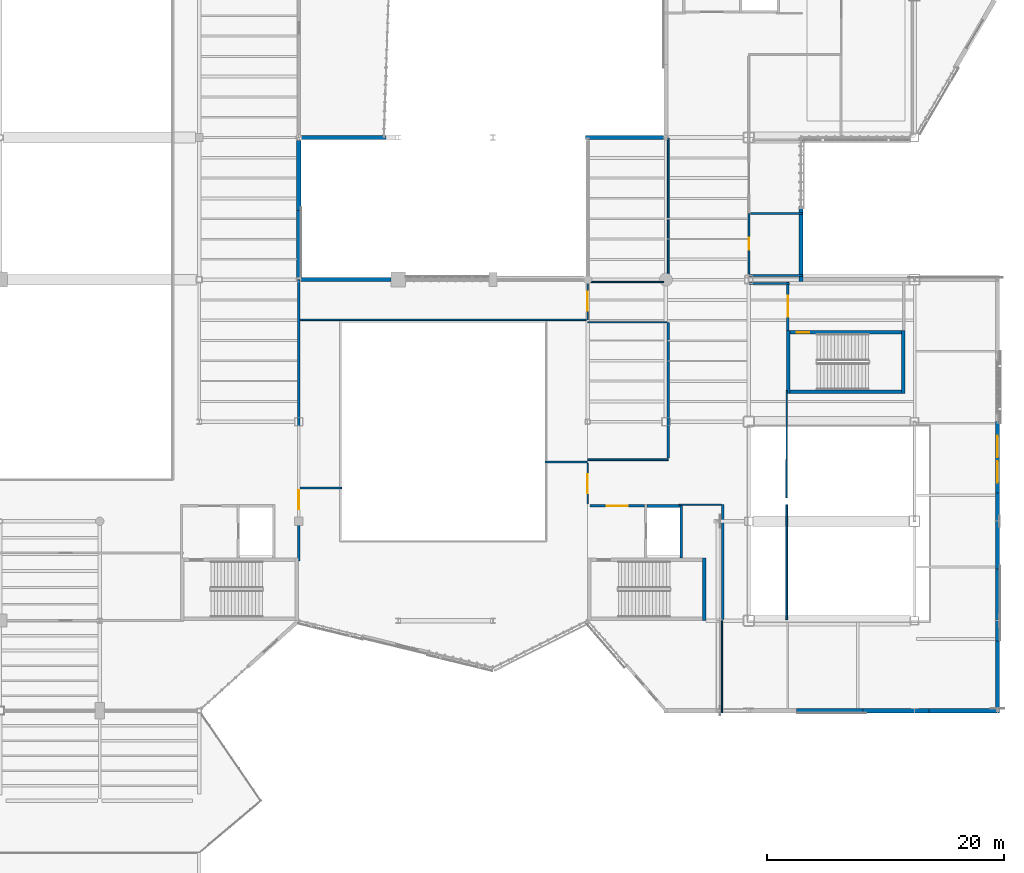
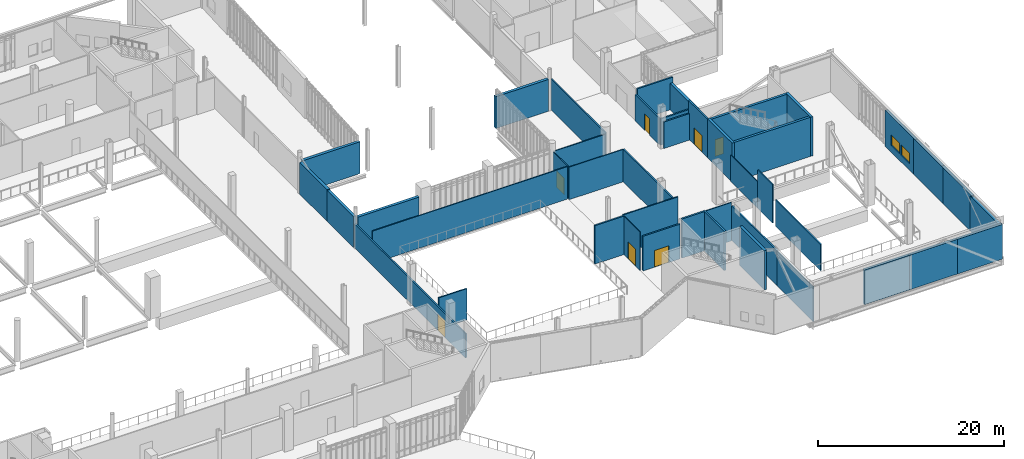
# One storey, part 107 of 127: 43 walls, 7 doors, 2 windows, 9 openings.
"""IFC4 building model written with IfcOpenShell, lengths in metres."""

from ifc_helpers import new_model, si_unit, direction, frame, frame_2d, origin, place, context, subcontext, project, spatial, rectangle, extrude, material, layer, layer_set, type_object, element, fill, save


model = new_model("IFC4")

# Units and contexts
model_context = context("Model", 3, precision=1e-05, world=origin(), true_north=direction((0.0, 1.0)))
body_context = subcontext(model_context, "Body", "Model", "MODEL_VIEW")
ifc_project = project(units=[si_unit("LENGTHUNIT", "METRE"), si_unit("AREAUNIT", "SQUARE_METRE"), si_unit("VOLUMEUNIT", "CUBIC_METRE"), si_unit("PLANEANGLEUNIT", "RADIAN"), si_unit("MASSUNIT", "GRAM", prefix="KILO")], contexts=[model_context])

# Site, building, storey
site_placement = place(None, origin())
site = spatial("IfcSite", under=ifc_project, at=site_placement, CompositionType="ELEMENT")
building_placement = place(site_placement, origin())
building = spatial("IfcBuilding", under=site, at=building_placement, Name="Larkvane Passage Sports Hall", CompositionType="ELEMENT")
storey_placement = place(building_placement, frame((0.0, 0.0, 5.39990234375)))
storey = spatial("IfcBuildingStorey", under=building, at=storey_placement, Name="L01", CompositionType="ELEMENT", Elevation=5.39990234375)

# Walls
ifc_material_1 = material(Name="Concrete C50/60", Category="concrete")
ifc_layer_1 = layer(ifc_material_1, 0.300048828125)
ifc_layer_set_1 = layer_set([ifc_layer_1], Name="Concrete C50/60")
wall_type_1 = type_object("IfcWallType", Name="WL-CORE-300", PredefinedType="SHEAR", material=ifc_layer_set_1)
for number, where, z_axis, x_axis, name in (
    (1, (134.949951171875, 42.0, 0.0), (0.0, 0.0, 1.0), (0.0, 1.0, 0.0), "Core shear wall WAL-CORE-C7-L01-W"),
    (2, (144.64990234375, 47.300048828125, 0.0), (0.0, 0.0, 1.0), (0.0, -1.0, 0.0), "Core shear wall WAL-CORE-C7-L01-E"),
):
    element("IfcWall", number, at=place(storey_placement, frame(where, z_axis=z_axis, x_axis=x_axis)), inside=storey, type_object=wall_type_1, Name=name, PredefinedType="SHEAR", context=body_context, shape_type="SweptSolid", body=[
        extrude(rectangle(XDim=5.300048828125, YDim=0.300048828125, at=frame_2d((2.64990234375, 0.0))), origin(), (0.0, 0.0, 1.0), 5.150146484375),
    ])
wall_1_placement = place(storey_placement, frame((144.5, 42.14990234375, 0.0), z_axis=(0.0, 0.0, 1.0), x_axis=(-1.0, 0.0, 0.0)))
element("IfcWall", 3, at=wall_1_placement, inside=storey, type_object=wall_type_1, Name="Core shear wall WAL-CORE-C7-L01-S", PredefinedType="SHEAR", context=body_context, shape_type="SweptSolid", body=[
    extrude(rectangle(XDim=9.39990234375, YDim=0.300048828125, at=frame_2d((4.699951171875, 0.0))), origin(), (0.0, 0.0, 1.0), 5.150146484375),
])

# Wall, opening, door
wall_2_placement = place(storey_placement, frame((135.10009765625, 47.14990234375, 0.0), z_axis=(0.0, 0.0, 1.0), x_axis=(1.0, 0.0, 0.0)))
wall_2 = element("IfcWall", 4, at=wall_2_placement, inside=storey, type_object=wall_type_1, Name="Core shear wall WAL-CORE-C7-L01-N", PredefinedType="SHEAR", context=body_context, shape_type="SweptSolid", body=[
    extrude(rectangle(XDim=9.39990234375, YDim=0.300048828125, at=frame_2d((4.699951171875, 0.0))), origin(), (0.0, 0.0, 1.0), 5.150146484375),
])
opening_1_placement = place(wall_2_placement, frame((0.550048828125, 0.0, 0.0)))
opening_1 = element("IfcOpeningElement", 5, at=opening_1_placement, cuts=wall_2, Name="Opening DF-01", PredefinedType="OPENING", context=body_context, shape_type="SweptSolid", body=[
    extrude(rectangle(XDim=1.050048828125, YDim=2.199951171875, at=frame_2d((0.52490234375, 1.10009765625))), frame((0.0, 0.159912109375, 0.0), z_axis=(0.0, -1.0, 0.0), x_axis=(1.0, 0.0, 0.0)), (0.0, 0.0, 1.0), 0.320068359375),
])
ifc_material_2 = material(Name="Steel S355JR smoke-sealed fire door", Category="steel")
door_type_1 = type_object("IfcDoorType", Name="DR-FIRE-1050", OperationType="NOTDEFINED", PredefinedType="DOOR", material=ifc_material_2)
door_1_placement = place(opening_1_placement, origin())
door_1 = element("IfcDoor", 6, at=door_1_placement, inside=storey, type_object=door_type_1, Name="Stair ST-07 L01 fire door", OperationType="SINGLE_SWING_RIGHT", OverallHeight=2.199951171875, OverallWidth=1.050048828125, PredefinedType="DOOR", context=body_context, shape_type="SweptSolid", body=[
    extrude(rectangle(XDim=1.050048828125, YDim=2.199951171875, at=frame_2d((0.52490234375, 1.10009765625))), frame((0.0, 0.02490234375, 0.0), z_axis=(0.0, -1.0, 0.0), x_axis=(1.0, 0.0, 0.0)), (0.0, 0.0, 1.0), 0.050048828125),
])
fill(opening_1, door_1)

# Walls
ifc_layer_2 = layer(ifc_material_1, 0.340087890625)
ifc_layer_set_2 = layer_set([ifc_layer_2], Name="Concrete C50/60")
wall_type_2 = type_object("IfcWallType", Name="WL-CORE-340", PredefinedType="SHEAR", material=ifc_layer_set_2)
wall_3_placement = place(storey_placement, frame((127.85009765625, 28.10009765625, 0.0), z_axis=(0.0, 0.0, 1.0), x_axis=(0.0, -1.0, 0.0)))
element("IfcWall", 7, at=wall_3_placement, inside=storey, type_object=wall_type_2, Name="Core shear wall WAL-CORE-C5-L01-E", PredefinedType="SHEAR", context=body_context, shape_type="SweptSolid", body=[
    extrude(rectangle(XDim=5.300048828125, YDim=0.300048828125, at=frame_2d((2.64990234375, 0.0))), origin(), (0.0, 0.0, 1.0), 5.150146484375),
])
ifc_material_3 = material(Name="Precast concrete C45/55", Category="concrete")
ifc_layer_3 = layer(ifc_material_3, 0.344970703125)
ifc_layer_set_3 = layer_set([ifc_layer_3], Name="Precast concrete C45/55")
wall_type_3 = type_object("IfcWallType", Name="WL-EXT-345", PredefinedType="SOLIDWALL", material=ifc_layer_set_3)
wall_4_placement = place(storey_placement, frame((100.965576171875, 63.60009765625, 0.0), z_axis=(0.0, 0.0, 1.0), x_axis=(-1.0, 0.0, 0.0)))
element("IfcWall", 8, at=wall_4_placement, inside=storey, type_object=wall_type_3, Name="Exterior wall WAL-EXT-L01-082", PredefinedType="SOLIDWALL", context=body_context, shape_type="SweptSolid", body=[
    extrude(rectangle(XDim=7.115478515625, YDim=0.344970703125, at=frame_2d((3.5576171875, 0.0))), origin(), (0.0, 0.0, 1.0), 4.176025390625),
])
wall_5_placement = place(storey_placement, frame((93.60009765625, 63.35009765625, 0.0), z_axis=(0.0, 0.0, 1.0), x_axis=(0.0, -1.0, 0.0)))
element("IfcWall", 9, at=wall_5_placement, inside=storey, type_object=wall_type_3, Name="Exterior wall WAL-EXT-L01-083", PredefinedType="SOLIDWALL", context=body_context, shape_type="SweptSolid", body=[
    extrude(rectangle(XDim=5.915771484375, YDim=0.344970703125, at=frame_2d((2.9580078125, 0.0))), origin(), (0.0, 0.0, 1.0), 4.168212890625),
])
wall_6_placement = place(storey_placement, frame((93.60009765625, 57.765625, 0.0), z_axis=(0.0, 0.0, 1.0), x_axis=(0.0, -1.0, 0.0)))
element("IfcWall", 10, at=wall_6_placement, inside=storey, type_object=wall_type_3, Name="Exterior wall WAL-EXT-L01-084", PredefinedType="SOLIDWALL", context=body_context, shape_type="SweptSolid", body=[
    extrude(rectangle(XDim=5.96630859375, YDim=0.344970703125, at=frame_2d((2.983154296875, 0.0))), origin(), (0.0, 0.0, 1.0), 4.068115234375),
])
wall_7_placement = place(storey_placement, frame((93.79931640625, 51.60009765625, 0.0), z_axis=(0.0, 0.0, 1.0), x_axis=(1.0, 0.0, 0.0)))
element("IfcWall", 11, at=wall_7_placement, inside=storey, type_object=wall_type_3, Name="Exterior wall WAL-EXT-L01-085", PredefinedType="SOLIDWALL", context=body_context, shape_type="SweptSolid", body=[
    extrude(rectangle(XDim=7.57958984375, YDim=0.344970703125, at=frame_2d((3.789794921875, 0.0))), origin(), (0.0, 0.0, 1.0), 4.068115234375),
])
wall_8_placement = place(storey_placement, frame((117.83447265625, 63.60009765625, 0.0), z_axis=(0.0, 0.0, 1.0), x_axis=(1.0, 0.0, 0.0)))
element("IfcWall", 12, at=wall_8_placement, inside=storey, type_object=wall_type_3, Name="Exterior wall WAL-EXT-L01-086", PredefinedType="SOLIDWALL", context=body_context, shape_type="SweptSolid", body=[
    extrude(rectangle(XDim=6.56640625, YDim=0.344970703125, at=frame_2d((3.283203125, 0.0))), origin(), (0.0, 0.0, 1.0), 4.176025390625),
])
wall_9_placement = place(storey_placement, frame((136.0, 57.765625, 0.0), z_axis=(0.0, 0.0, 1.0), x_axis=(0.0, -1.0, 0.0)))
element("IfcWall", 13, at=wall_9_placement, inside=storey, type_object=wall_type_3, Name="Exterior wall WAL-EXT-L01-094", PredefinedType="SOLIDWALL", context=body_context, shape_type="SweptSolid", body=[
    extrude(rectangle(XDim=6.331298828125, YDim=0.344970703125, at=frame_2d((3.16552734375, 0.0))), origin(), (0.0, 0.0, 1.0), 3.468017578125),
])

# Wall, openings, windows
wall_10_placement = place(storey_placement, frame((152.60009765625, 39.63232421875, 0.0), z_axis=(0.0, 0.0, 1.0), x_axis=(0.0, -1.0, 0.0)))
wall_10 = element("IfcWall", 14, at=wall_10_placement, inside=storey, type_object=wall_type_3, Name="Exterior wall WAL-EXT-L01-098", PredefinedType="SOLIDWALL", context=body_context, shape_type="SweptSolid", body=[
    extrude(rectangle(XDim=6.39794921875, YDim=0.344970703125, at=frame_2d((3.198974609375, 0.0))), origin(), (0.0, 0.0, 1.0), 4.748046875),
])
opening_2_placement = place(wall_10_placement, frame((1.23291015625, 0.0, 0.89990234375)))
opening_2 = element("IfcOpeningElement", 15, at=opening_2_placement, cuts=wall_10, Name="Opening W-10", PredefinedType="OPENING", context=body_context, shape_type="SweptSolid", body=[
    extrude(rectangle(XDim=1.800048828125, YDim=1.35009765625, at=frame_2d((0.89990234375, 0.675048828125))), frame((0.0, 0.182373046875, 0.0), z_axis=(0.0, -1.0, 0.0), x_axis=(1.0, 0.0, 0.0)), (0.0, 0.0, 1.0), 0.364990234375),
])
opening_3_placement = place(wall_10_placement, frame((3.364990234375, 0.0, 0.89990234375)))
opening_3 = element("IfcOpeningElement", 16, at=opening_3_placement, cuts=wall_10, Name="Opening W-10", PredefinedType="OPENING", context=body_context, shape_type="SweptSolid", body=[
    extrude(rectangle(XDim=1.800048828125, YDim=1.35009765625, at=frame_2d((0.89990234375, 0.675048828125))), frame((0.0, 0.182373046875, 0.0), z_axis=(0.0, -1.0, 0.0), x_axis=(1.0, 0.0, 0.0)), (0.0, 0.0, 1.0), 0.364990234375),
])
ifc_material_4 = material(Name="Thermally broken aluminium and laminated low-E glass", Category="aluminium")
window_type = type_object("IfcWindowType", Name="WN-CAS-1800x1350", PartitioningType="DOUBLE_PANEL_VERTICAL", PredefinedType="WINDOW", material=ifc_material_4)
window_1_placement = place(opening_2_placement, origin())
window_1 = element("IfcWindow", 17, at=window_1_placement, inside=storey, type_object=window_type, Name="Window L01-032", OverallHeight=1.35009765625, OverallWidth=1.800048828125, PartitioningType="DOUBLE_PANEL_VERTICAL", PredefinedType="WINDOW", context=body_context, shape_type="SweptSolid", body=[
    extrude(rectangle(XDim=1.800048828125, YDim=1.35009765625, at=frame_2d((0.89990234375, 0.675048828125))), frame((0.0, 0.030029296875, 0.0), z_axis=(0.0, -1.0, 0.0), x_axis=(1.0, 0.0, 0.0)), (0.0, 0.0, 1.0), 0.06005859375),
])
fill(opening_2, window_1)
window_2_placement = place(opening_3_placement, origin())
window_2 = element("IfcWindow", 18, at=window_2_placement, inside=storey, type_object=window_type, Name="Window L01-033", OverallHeight=1.35009765625, OverallWidth=1.800048828125, PartitioningType="DOUBLE_PANEL_VERTICAL", PredefinedType="WINDOW", context=body_context, shape_type="SweptSolid", body=[
    extrude(rectangle(XDim=1.800048828125, YDim=1.35009765625, at=frame_2d((0.89990234375, 0.675048828125))), frame((0.0, 0.030029296875, 0.0), z_axis=(0.0, -1.0, 0.0), x_axis=(1.0, 0.0, 0.0)), (0.0, 0.0, 1.0), 0.06005859375),
])
fill(opening_3, window_2)

# Walls
wall_11_placement = place(storey_placement, frame((152.60009765625, 33.565673828125, 0.0), z_axis=(0.0, 0.0, 1.0), x_axis=(0.0, -1.0, 0.0)))
element("IfcWall", 19, at=wall_11_placement, inside=storey, type_object=wall_type_3, Name="Exterior wall WAL-EXT-L01-099", PredefinedType="SOLIDWALL", context=body_context, shape_type="SweptSolid", body=[
    extrude(rectangle(XDim=6.39794921875, YDim=0.344970703125, at=frame_2d((3.198974609375, 0.0))), origin(), (0.0, 0.0, 1.0), 4.738037109375),
])
wall_12_placement = place(storey_placement, frame((152.60009765625, 27.498779296875, 0.0), z_axis=(0.0, 0.0, 1.0), x_axis=(0.0, -1.0, 0.0)))
element("IfcWall", 20, at=wall_12_placement, inside=storey, type_object=wall_type_3, Name="Exterior wall WAL-EXT-L01-100", PredefinedType="SOLIDWALL", context=body_context, shape_type="SweptSolid", body=[
    extrude(rectangle(XDim=6.397705078125, YDim=0.344970703125, at=frame_2d((3.19873046875, 0.0))), origin(), (0.0, 0.0, 1.0), 4.748046875),
])
wall_13_placement = place(storey_placement, frame((152.60009765625, 21.432373046875, 0.0), z_axis=(0.0, 0.0, 1.0), x_axis=(0.0, -1.0, 0.0)))
element("IfcWall", 21, at=wall_13_placement, inside=storey, type_object=wall_type_3, Name="Exterior wall WAL-EXT-L01-101", PredefinedType="SOLIDWALL", context=body_context, shape_type="SweptSolid", body=[
    extrude(rectangle(XDim=6.39794921875, YDim=0.344970703125, at=frame_2d((3.198974609375, 0.0))), origin(), (0.0, 0.0, 1.0), 4.550048828125),
])
for number, where, z_axis, x_axis, name in (
    (22, (152.765625, 15.199951171875, 0.0), (0.0, 0.0, 1.0), (-1.0, 0.0, 0.0), "Exterior wall WAL-EXT-L01-102"),
    (23, (147.16552734375, 15.199951171875, 0.0), (0.0, 0.0, 1.0), (-1.0, 0.0, 0.0), "Exterior wall WAL-EXT-L01-103"),
    (24, (141.565673828125, 15.199951171875, 0.0), (0.0, 0.0, 1.0), (-1.0, 0.0, 0.0), "Exterior wall WAL-EXT-L01-104"),
):
    element("IfcWall", number, at=place(storey_placement, frame(where, z_axis=z_axis, x_axis=x_axis)), inside=storey, type_object=wall_type_3, Name=name, PredefinedType="SOLIDWALL", context=body_context, shape_type="SweptSolid", body=[
        extrude(rectangle(XDim=5.93115234375, YDim=0.344970703125, at=frame_2d((2.965576171875, 0.0))), origin(), (0.0, 0.0, 1.0), 4.550048828125),
    ])

# Wall, opening, door
ifc_material_5 = material(Name="Concrete C40/50", Category="concrete")
ifc_layer_4 = layer(ifc_material_5, 0.199951171875)
ifc_layer_set_4 = layer_set([ifc_layer_4], Name="Concrete C40/50")
wall_type_4 = type_object("IfcWallType", Name="WL-LOBBY-200", PredefinedType="SOLIDWALL", material=ifc_layer_set_4)
wall_14_placement = place(storey_placement, frame((118.199951171875, 32.5, 0.0), z_axis=(0.0, 0.0, 1.0), x_axis=(1.0, 0.0, 0.0)))
wall_14 = element("IfcWall", 25, at=wall_14_placement, inside=storey, type_object=wall_type_4, Name="Protected stair lobby wall C5 L01", PredefinedType="SOLIDWALL", context=body_context, shape_type="SweptSolid", body=[
    extrude(rectangle(XDim=4.60009765625, YDim=0.199951171875, at=frame_2d((2.300048828125, 0.0))), origin(), (0.0, 0.0, 1.0), 4.552001953125),
])
opening_4_placement = place(wall_14_placement, frame((1.39990234375, 0.0, 0.0)))
opening_4 = element("IfcOpeningElement", 26, at=opening_4_placement, cuts=wall_14, Name="Opening DF-02", PredefinedType="OPENING", context=body_context, shape_type="SweptSolid", body=[
    extrude(rectangle(XDim=1.800048828125, YDim=2.199951171875, at=frame_2d((0.89990234375, 1.10009765625))), frame((0.0, 0.10986328125, 0.0), z_axis=(0.0, -1.0, 0.0), x_axis=(1.0, 0.0, 0.0)), (0.0, 0.0, 1.0), 0.219970703125),
])
ifc_material_6 = material(Name="Steel S355JR double smoke-sealed fire door", Category="steel")
door_type_2 = type_object("IfcDoorType", Name="DR-FIRE-1800", OperationType="DOUBLE_DOOR_SINGLE_SWING", PredefinedType="DOOR", material=ifc_material_6)
door_2_placement = place(opening_4_placement, origin())
door_2 = element("IfcDoor", 27, at=door_2_placement, inside=storey, type_object=door_type_2, Name="Lobby smoke door C5 L01", OperationType="DOUBLE_DOOR_SINGLE_SWING", OverallHeight=2.199951171875, OverallWidth=1.800048828125, PredefinedType="DOOR", context=body_context, shape_type="SweptSolid", body=[
    extrude(rectangle(XDim=1.800048828125, YDim=2.199951171875, at=frame_2d((0.89990234375, 1.10009765625))), frame((0.0, 0.02490234375, 0.0), z_axis=(0.0, -1.0, 0.0), x_axis=(1.0, 0.0, 0.0)), (0.0, 0.0, 1.0), 0.050048828125),
])
fill(opening_4, door_2)

wall_15_placement = place(storey_placement, frame((134.89990234375, 47.300048828125, 0.0), z_axis=(0.0, 0.0, 1.0), x_axis=(0.0, 1.0, 0.0)))
wall_15 = element("IfcWall", 28, at=wall_15_placement, inside=storey, type_object=wall_type_4, Name="Protected stair lobby wall C7 L01", PredefinedType="SOLIDWALL", context=body_context, shape_type="SweptSolid", body=[
    extrude(rectangle(XDim=4.099853515625, YDim=0.199951171875, at=frame_2d((2.0498046875, 0.0))), origin(), (0.0, 0.0, 1.0), 5.050048828125),
])
opening_5_placement = place(wall_15_placement, frame((1.14990234375, 0.0, 0.0)))
opening_5 = element("IfcOpeningElement", 29, at=opening_5_placement, cuts=wall_15, Name="Opening DF-02", PredefinedType="OPENING", context=body_context, shape_type="SweptSolid", body=[
    extrude(rectangle(XDim=1.800048828125, YDim=2.199951171875, at=frame_2d((0.89990234375, 1.10009765625))), frame((0.0, 0.10986328125, 0.0), z_axis=(0.0, -1.0, 0.0), x_axis=(1.0, 0.0, 0.0)), (0.0, 0.0, 1.0), 0.219970703125),
])
door_3_placement = place(opening_5_placement, origin())
door_3 = element("IfcDoor", 30, at=door_3_placement, inside=storey, type_object=door_type_2, Name="Lobby smoke door C7 L01", OperationType="DOUBLE_DOOR_SINGLE_SWING", OverallHeight=2.199951171875, OverallWidth=1.800048828125, PredefinedType="DOOR", context=body_context, shape_type="SweptSolid", body=[
    extrude(rectangle(XDim=1.800048828125, YDim=2.199951171875, at=frame_2d((0.89990234375, 1.10009765625))), frame((0.0, 0.02490234375, 0.0), z_axis=(0.0, -1.0, 0.0), x_axis=(1.0, 0.0, 0.0)), (0.0, 0.0, 1.0), 0.050048828125),
])
fill(opening_5, door_3)

ifc_material_7 = material(Name="Gypsum twin-stud acoustic partition")
ifc_layer_5 = layer(ifc_material_7, 0.10009765625)
ifc_layer_set_5 = layer_set([ifc_layer_5], Name="Gypsum twin-stud acoustic partition")
wall_type_5 = type_object("IfcWallType", Name="WL-PART-100", PredefinedType="PARTITIONING", material=ifc_layer_set_5)
wall_16_placement = place(storey_placement, frame((118.0, 51.367919921875, 0.0), z_axis=(0.0, 0.0, 1.0), x_axis=(0.0, -1.0, 0.0)))
wall_16 = element("IfcWall", 31, at=wall_16_placement, inside=storey, type_object=wall_type_5, Name="Interior partition WAL-PART-L01-0175", PredefinedType="PARTITIONING", context=body_context, shape_type="SweptSolid", body=[
    extrude(rectangle(XDim=3.16796875, YDim=0.10009765625, at=frame_2d((1.583984375, 0.0))), origin(), (0.0, 0.0, 1.0), 4.278076171875),
])
opening_6_placement = place(wall_16_placement, frame((0.783935546875, 0.0, 0.0)))
opening_6 = element("IfcOpeningElement", 32, at=opening_6_placement, cuts=wall_16, Name="Opening DI-03", PredefinedType="OPENING", context=body_context, shape_type="SweptSolid", body=[
    extrude(rectangle(XDim=1.60009765625, YDim=2.199951171875, at=frame_2d((0.800048828125, 1.10009765625))), frame((0.0, 0.06005859375, 0.0), z_axis=(0.0, -1.0, 0.0), x_axis=(1.0, 0.0, 0.0)), (0.0, 0.0, 1.0), 0.1201171875),
])
ifc_material_8 = material(Name="Glazed aluminium studio double door", Category="aluminium")
door_type_3 = type_object("IfcDoorType", Name="DR-INT-1600", OperationType="DOUBLE_DOOR_SINGLE_SWING", PredefinedType="DOOR", material=ifc_material_8)
door_4_placement = place(opening_6_placement, origin())
door_4 = element("IfcDoor", 33, at=door_4_placement, inside=storey, type_object=door_type_3, Name="Interior door L01-0065", OperationType="DOUBLE_DOOR_SINGLE_SWING", OverallHeight=2.199951171875, OverallWidth=1.60009765625, PredefinedType="DOOR", context=body_context, shape_type="SweptSolid", body=[
    extrude(rectangle(XDim=1.60009765625, YDim=2.199951171875, at=frame_2d((0.800048828125, 1.10009765625))), frame((0.0, 0.02490234375, 0.0), z_axis=(0.0, -1.0, 0.0), x_axis=(1.0, 0.0, 0.0)), (0.0, 0.0, 1.0), 0.050048828125),
])
fill(opening_6, door_4)

wall_17_placement = place(storey_placement, frame((118.0, 36.080078125, 0.0), z_axis=(0.0, 0.0, 1.0), x_axis=(0.0, -1.0, 0.0)))
wall_17 = element("IfcWall", 34, at=wall_17_placement, inside=storey, type_object=wall_type_5, Name="Interior partition WAL-PART-L01-0179", PredefinedType="PARTITIONING", context=body_context, shape_type="SweptSolid", body=[
    extrude(rectangle(XDim=3.420166015625, YDim=0.10009765625, at=frame_2d((1.7099609375, 0.0))), origin(), (0.0, 0.0, 1.0), 5.050048828125),
])
opening_7_placement = place(wall_17_placement, frame((0.909912109375, 0.0, 0.0)))
opening_7 = element("IfcOpeningElement", 35, at=opening_7_placement, cuts=wall_17, Name="Opening DI-03", PredefinedType="OPENING", context=body_context, shape_type="SweptSolid", body=[
    extrude(rectangle(XDim=1.60009765625, YDim=2.199951171875, at=frame_2d((0.800048828125, 1.10009765625))), frame((0.0, 0.06005859375, 0.0), z_axis=(0.0, -1.0, 0.0), x_axis=(1.0, 0.0, 0.0)), (0.0, 0.0, 1.0), 0.1201171875),
])
door_5_placement = place(opening_7_placement, origin())
door_5 = element("IfcDoor", 36, at=door_5_placement, inside=storey, type_object=door_type_3, Name="Interior door L01-0064", OperationType="DOUBLE_DOOR_SINGLE_SWING", OverallHeight=2.199951171875, OverallWidth=1.60009765625, PredefinedType="DOOR", context=body_context, shape_type="SweptSolid", body=[
    extrude(rectangle(XDim=1.60009765625, YDim=2.199951171875, at=frame_2d((0.800048828125, 1.10009765625))), frame((0.0, 0.02490234375, 0.0), z_axis=(0.0, -1.0, 0.0), x_axis=(1.0, 0.0, 0.0)), (0.0, 0.0, 1.0), 0.050048828125),
])
fill(opening_7, door_5)

# Walls
wall_18_placement = place(storey_placement, frame((124.679931640625, 48.0, 0.0), z_axis=(0.0, 0.0, 1.0), x_axis=(-1.0, 0.0, 0.0)))
element("IfcWall", 37, at=wall_18_placement, inside=storey, type_object=wall_type_5, Name="Interior partition WAL-PART-L01-0183", PredefinedType="PARTITIONING", context=body_context, shape_type="SweptSolid", body=[
    extrude(rectangle(XDim=6.679931640625, YDim=0.10009765625, at=frame_2d((3.33984375, 0.0))), origin(), (0.0, 0.0, 1.0), 4.27001953125),
])
wall_19_placement = place(storey_placement, frame((134.800048828125, 42.260009765625, 0.0), z_axis=(0.0, 0.0, 1.0), x_axis=(0.0, -1.0, 0.0)))
element("IfcWall", 38, at=wall_19_placement, inside=storey, type_object=wall_type_5, Name="Interior partition WAL-PART-L01-0191", PredefinedType="PARTITIONING", context=body_context, shape_type="SweptSolid", body=[
    extrude(rectangle(XDim=5.860107421875, YDim=0.10009765625, at=frame_2d((2.93017578125, 0.0))), origin(), (0.0, 0.0, 1.0), 3.47021484375),
])
wall_20_placement = place(storey_placement, frame((129.280029296875, 32.60009765625, 0.0), z_axis=(0.0, 0.0, 1.0), x_axis=(-1.0, 0.0, 0.0)))
element("IfcWall", 39, at=wall_20_placement, inside=storey, type_object=wall_type_5, Name="Interior partition WAL-PART-L01-0195", PredefinedType="PARTITIONING", context=body_context, shape_type="SweptSolid", body=[
    extrude(rectangle(XDim=3.580078125, YDim=0.10009765625, at=frame_2d((1.7900390625, 0.0))), origin(), (0.0, 0.0, 1.0), 5.050048828125),
])
ifc_material_9 = material(Name="Gypsum twin-stud fire-rated partition")
ifc_layer_6 = layer(ifc_material_9, 0.125)
ifc_layer_set_6 = layer_set([ifc_layer_6], Name="Gypsum twin-stud fire-rated partition")
wall_type_6 = type_object("IfcWallType", Name="WL-PART-125", PredefinedType="PARTITIONING", material=ifc_layer_set_6)
wall_21_placement = place(storey_placement, frame((129.340087890625, 15.048583984375, 0.0), z_axis=(0.0, 0.0, 1.0), x_axis=(0.0, 1.0, 0.0)))
element("IfcWall", 40, at=wall_21_placement, inside=storey, type_object=wall_type_6, Name="Interior partition WAL-PART-L01-0144", PredefinedType="PARTITIONING", context=body_context, shape_type="SweptSolid", body=[
    extrude(rectangle(XDim=7.75146484375, YDim=0.125, at=frame_2d((3.875732421875, 0.0))), origin(), (0.0, 0.0, 1.0), 4.552001953125),
])
wall_22_placement = place(storey_placement, frame((117.8798828125, 48.199951171875, 0.0), z_axis=(0.0, 0.0, 1.0), x_axis=(-1.0, 0.0, 0.0)))
element("IfcWall", 41, at=wall_22_placement, inside=storey, type_object=wall_type_6, Name="Interior partition WAL-PART-L01-0176", PredefinedType="PARTITIONING", context=body_context, shape_type="SweptSolid", body=[
    extrude(rectangle(XDim=24.159912109375, YDim=0.125, at=frame_2d((12.080078125, 0.0))), origin(), (0.0, 0.0, 1.0), 4.27001953125),
])
wall_23_placement = place(storey_placement, frame((118.052001953125, 51.39990234375, 0.0), z_axis=(0.0, 0.0, 1.0), x_axis=(1.0, 0.0, 0.0)))
element("IfcWall", 42, at=wall_23_placement, inside=storey, type_object=wall_type_6, Name="Interior partition WAL-PART-L01-0184", PredefinedType="PARTITIONING", context=body_context, shape_type="SweptSolid", body=[
    extrude(rectangle(XDim=6.35205078125, YDim=0.125, at=frame_2d((3.176025390625, 0.0))), origin(), (0.0, 0.0, 1.0), 4.278076171875),
])
wall_24_placement = place(storey_placement, frame((134.800048828125, 36.39990234375, 0.0), z_axis=(0.0, 0.0, 1.0), x_axis=(0.0, -1.0, 0.0)))
element("IfcWall", 43, at=wall_24_placement, inside=storey, type_object=wall_type_6, Name="Interior partition WAL-PART-L01-0192", PredefinedType="PARTITIONING", context=body_context, shape_type="SweptSolid", body=[
    extrude(rectangle(XDim=3.199951171875, YDim=0.125, at=frame_2d((1.60009765625, 0.0))), origin(), (0.0, 0.0, 1.0), 5.050048828125),
])
ifc_material_10 = material(Name="Gypsum acoustic partition")
ifc_layer_7 = layer(ifc_material_10, 0.14990234375)
ifc_layer_set_7 = layer_set([ifc_layer_7], Name="Gypsum acoustic partition")
wall_type_7 = type_object("IfcWallType", Name="WL-PART-150", PredefinedType="PARTITIONING", material=ifc_layer_set_7)
wall_25_placement = place(storey_placement, frame((93.719970703125, 34.0, 0.0), z_axis=(0.0, 0.0, 1.0), x_axis=(1.0, 0.0, 0.0)))
element("IfcWall", 44, at=wall_25_placement, inside=storey, type_object=wall_type_7, Name="Interior partition WAL-PART-L01-0177", PredefinedType="PARTITIONING", context=body_context, shape_type="SweptSolid", body=[
    extrude(rectangle(XDim=3.5, YDim=0.14990234375, at=frame_2d((1.75, 0.0))), origin(), (0.0, 0.0, 1.0), 4.1201171875),
])
wall_26_placement = place(storey_placement, frame((118.0, 36.39990234375, 0.0), z_axis=(0.0, 0.0, 1.0), x_axis=(1.0, 0.0, 0.0)))
element("IfcWall", 45, at=wall_26_placement, inside=storey, type_object=wall_type_7, Name="Interior partition WAL-PART-L01-0181", PredefinedType="PARTITIONING", context=body_context, shape_type="SweptSolid", body=[
    extrude(rectangle(XDim=6.800048828125, YDim=0.14990234375, at=frame_2d((3.39990234375, 0.0))), origin(), (0.0, 0.0, 1.0), 5.050048828125),
])
wall_27_placement = place(storey_placement, frame((124.800048828125, 51.7958984375, 0.0), z_axis=(0.0, 0.0, 1.0), x_axis=(0.0, 1.0, 0.0)))
element("IfcWall", 46, at=wall_27_placement, inside=storey, type_object=wall_type_7, Name="Interior partition WAL-PART-L01-0185", PredefinedType="PARTITIONING", context=body_context, shape_type="SweptSolid", body=[
    extrude(rectangle(XDim=11.75, YDim=0.14990234375, at=frame_2d((5.875, 0.0))), origin(), (0.0, 0.0, 1.0), 4.080078125),
])
wall_28_placement = place(storey_placement, frame((134.800048828125, 32.60009765625, 0.0), z_axis=(0.0, 0.0, 1.0), x_axis=(0.0, -1.0, 0.0)))
element("IfcWall", 47, at=wall_28_placement, inside=storey, type_object=wall_type_7, Name="Interior partition WAL-PART-L01-0193", PredefinedType="PARTITIONING", context=body_context, shape_type="SweptSolid", body=[
    extrude(rectangle(XDim=9.7001953125, YDim=0.14990234375, at=frame_2d((4.85009765625, 0.0))), origin(), (0.0, 0.0, 1.0), 3.47021484375),
])

# Wall, opening, door
ifc_material_11 = material(Name="Gypsum high-bay court partition")
ifc_layer_8 = layer(ifc_material_11, 0.179931640625)
ifc_layer_set_8 = layer_set([ifc_layer_8], Name="Gypsum high-bay court partition")
wall_type_8 = type_object("IfcWallType", Name="WL-PART-180", PredefinedType="PARTITIONING", material=ifc_layer_set_8)
wall_29_placement = place(storey_placement, frame((93.60009765625, 51.65380859375, 0.0), z_axis=(0.0, 0.0, 1.0), x_axis=(0.0, -1.0, 0.0)))
wall_29 = element("IfcWall", 48, at=wall_29_placement, inside=storey, type_object=wall_type_8, Name="Interior partition WAL-PART-L01-0166", PredefinedType="PARTITIONING", context=body_context, shape_type="SweptSolid", body=[
    extrude(rectangle(XDim=23.813720703125, YDim=0.179931640625, at=frame_2d((11.90673828125, 0.0))), origin(), (0.0, 0.0, 1.0), 3.170166015625),
])
opening_8_placement = place(wall_29_placement, frame((17.830078125, 0.0, 0.0)))
opening_8 = element("IfcOpeningElement", 49, at=opening_8_placement, cuts=wall_29, Name="Opening DI-03", PredefinedType="OPENING", context=body_context, shape_type="SweptSolid", body=[
    extrude(rectangle(XDim=1.60009765625, YDim=2.199951171875, at=frame_2d((0.800048828125, 1.10009765625))), frame((0.0, 0.099853515625, 0.0), z_axis=(0.0, -1.0, 0.0), x_axis=(1.0, 0.0, 0.0)), (0.0, 0.0, 1.0), 0.199951171875),
])
door_6_placement = place(opening_8_placement, origin())
door_6 = element("IfcDoor", 50, at=door_6_placement, inside=storey, type_object=door_type_3, Name="Interior door L01-0063", OperationType="DOUBLE_DOOR_SINGLE_SWING", OverallHeight=2.199951171875, OverallWidth=1.60009765625, PredefinedType="DOOR", context=body_context, shape_type="SweptSolid", body=[
    extrude(rectangle(XDim=1.60009765625, YDim=2.199951171875, at=frame_2d((0.800048828125, 1.10009765625))), frame((0.0, 0.02490234375, 0.0), z_axis=(0.0, -1.0, 0.0), x_axis=(1.0, 0.0, 0.0)), (0.0, 0.0, 1.0), 0.050048828125),
])
fill(opening_8, door_6)

# Walls
wall_30_placement = place(storey_placement, frame((114.3798828125, 36.199951171875, 0.0), z_axis=(0.0, 0.0, 1.0), x_axis=(1.0, 0.0, 0.0)))
element("IfcWall", 51, at=wall_30_placement, inside=storey, type_object=wall_type_8, Name="Interior partition WAL-PART-L01-0178", PredefinedType="PARTITIONING", context=body_context, shape_type="SweptSolid", body=[
    extrude(rectangle(XDim=3.6201171875, YDim=0.179931640625, at=frame_2d((1.81005859375, 0.0))), origin(), (0.0, 0.0, 1.0), 5.050048828125),
])
wall_31_placement = place(storey_placement, frame((124.800048828125, 36.52001953125, 0.0), z_axis=(0.0, 0.0, 1.0), x_axis=(0.0, 1.0, 0.0)))
element("IfcWall", 52, at=wall_31_placement, inside=storey, type_object=wall_type_8, Name="Interior partition WAL-PART-L01-0182", PredefinedType="PARTITIONING", context=body_context, shape_type="SweptSolid", body=[
    extrude(rectangle(XDim=11.47998046875, YDim=0.179931640625, at=frame_2d((5.739990234375, 0.0))), origin(), (0.0, 0.0, 1.0), 4.27001953125),
])
wall_32_placement = place(storey_placement, frame((131.60009765625, 51.260009765625, 0.0), z_axis=(0.0, 0.0, 1.0), x_axis=(1.0, 0.0, 0.0)))
element("IfcWall", 53, at=wall_32_placement, inside=storey, type_object=wall_type_8, Name="Interior partition WAL-PART-L01-0190", PredefinedType="PARTITIONING", context=body_context, shape_type="SweptSolid", body=[
    extrude(rectangle(XDim=3.4599609375, YDim=0.179931640625, at=frame_2d((1.72998046875, 0.0))), origin(), (0.0, 0.0, 1.0), 3.47021484375),
])
wall_33_placement = place(storey_placement, frame((129.39990234375, 22.89990234375, 0.0), z_axis=(0.0, 0.0, 1.0), x_axis=(0.0, 1.0, 0.0)))
element("IfcWall", 54, at=wall_33_placement, inside=storey, type_object=wall_type_8, Name="Interior partition WAL-PART-L01-0194", PredefinedType="PARTITIONING", context=body_context, shape_type="SweptSolid", body=[
    extrude(rectangle(XDim=9.7001953125, YDim=0.179931640625, at=frame_2d((4.85009765625, 0.0))), origin(), (0.0, 0.0, 1.0), 4.552001953125),
])
ifc_material_12 = material(Name="Moisture-resistant shaftliner partition")
ifc_layer_9 = layer(ifc_material_12, 0.175048828125)
ifc_layer_set_9 = layer_set([ifc_layer_9], Name="Moisture-resistant shaftliner partition")
wall_type_9 = type_object("IfcWallType", Name="WL-PLUMB-175", PredefinedType="PLUMBINGWALL", material=ifc_layer_set_9)
wall_34_placement = place(storey_placement, frame((136.151611328125, 51.93994140625, 0.0), z_axis=(0.0, 0.0, 1.0), x_axis=(-1.0, 0.0, 0.0)))
element("IfcWall", 55, at=wall_34_placement, inside=storey, type_object=wall_type_9, Name="Interior partition WAL-PART-L01-0155", PredefinedType="PLUMBINGWALL", context=body_context, shape_type="SweptSolid", body=[
    extrude(rectangle(XDim=4.531494140625, YDim=0.175048828125, at=frame_2d((2.265625, 0.0))), origin(), (0.0, 0.0, 1.0), 3.47021484375),
])

# Wall, opening, door
wall_35_placement = place(storey_placement, frame((131.6201171875, 52.06005859375, 0.0), z_axis=(0.0, 0.0, 1.0), x_axis=(0.0, 1.0, 0.0)))
wall_35 = element("IfcWall", 56, at=wall_35_placement, inside=storey, type_object=wall_type_9, Name="Interior partition WAL-PART-L01-0156", PredefinedType="PLUMBINGWALL", context=body_context, shape_type="SweptSolid", body=[
    extrude(rectangle(XDim=5.139892578125, YDim=0.175048828125, at=frame_2d((2.56982421875, 0.0))), origin(), (0.0, 0.0, 1.0), 3.47021484375),
])
opening_9_placement = place(wall_35_placement, frame((2.044921875, 0.0, 0.0)))
opening_9 = element("IfcOpeningElement", 57, at=opening_9_placement, cuts=wall_35, Name="Opening DI-04", PredefinedType="OPENING", context=body_context, shape_type="SweptSolid", body=[
    extrude(rectangle(XDim=1.050048828125, YDim=2.14990234375, at=frame_2d((0.52490234375, 1.074951171875))), frame((0.0, 0.097412109375, 0.0), z_axis=(0.0, -1.0, 0.0), x_axis=(1.0, 0.0, 0.0)), (0.0, 0.0, 1.0), 0.195068359375),
])
ifc_material_13 = material(Name="Accessible wide-leaf sanitary door")
door_type_4 = type_object("IfcDoorType", Name="DR-ACC-1050", OperationType="NOTDEFINED", PredefinedType="DOOR", material=ifc_material_13)
door_7_placement = place(opening_9_placement, origin())
door_7 = element("IfcDoor", 58, at=door_7_placement, inside=storey, type_object=door_type_4, Name="Interior door L01-0060", OperationType="SINGLE_SWING_LEFT", OverallHeight=2.14990234375, OverallWidth=1.050048828125, PredefinedType="DOOR", context=body_context, shape_type="SweptSolid", body=[
    extrude(rectangle(XDim=1.050048828125, YDim=2.14990234375, at=frame_2d((0.52490234375, 1.074951171875))), frame((0.0, 0.02490234375, 0.0), z_axis=(0.0, -1.0, 0.0), x_axis=(1.0, 0.0, 0.0)), (0.0, 0.0, 1.0), 0.050048828125),
])
fill(opening_9, door_7)

# Walls
wall_36_placement = place(storey_placement, frame((131.739990234375, 57.199951171875, 0.0), z_axis=(0.0, 0.0, 1.0), x_axis=(1.0, 0.0, 0.0)))
element("IfcWall", 59, at=wall_36_placement, inside=storey, type_object=wall_type_9, Name="Interior partition WAL-PART-L01-0157", PredefinedType="PLUMBINGWALL", context=body_context, shape_type="SweptSolid", body=[
    extrude(rectangle(XDim=4.41162109375, YDim=0.175048828125, at=frame_2d((2.205810546875, 0.0))), origin(), (0.0, 0.0, 1.0), 4.177978515625),
])
ifc_layer_10 = layer(ifc_material_5, 0.219970703125)
ifc_layer_set_10 = layer_set([ifc_layer_10], Name="Concrete C40/50")
wall_type_10 = type_object("IfcWallType", Name="WL-SHAFT-220", PredefinedType="SOLIDWALL", material=ifc_layer_set_10)
wall_37_placement = place(storey_placement, frame((125.889892578125, 28.10009765625, 0.0), z_axis=(0.0, 0.0, 1.0), x_axis=(0.0, 1.0, 0.0)))
element("IfcWall", 60, at=wall_37_placement, inside=storey, type_object=wall_type_10, Name="Lift shaft rear wall FL-02 L01", PredefinedType="SOLIDWALL", context=body_context, shape_type="SweptSolid", body=[
    extrude(rectangle(XDim=4.5, YDim=0.219970703125, at=frame_2d((2.25, 0.0))), origin(), (0.0, 0.0, 1.0), 5.150146484375),
])
wall_38_placement = place(storey_placement, frame((123.02001953125, 32.489990234375, 0.0), z_axis=(0.0, 0.0, 1.0), x_axis=(1.0, 0.0, 0.0)))
element("IfcWall", 61, at=wall_38_placement, inside=storey, type_object=wall_type_10, Name="Lift shaft end wall FL-02 L01", PredefinedType="SOLIDWALL", context=body_context, shape_type="SweptSolid", body=[
    extrude(rectangle(XDim=2.760009765625, YDim=0.219970703125, at=frame_2d((1.3798828125, 0.0))), origin(), (0.0, 0.0, 1.0), 5.150146484375),
])

save(model, "model.ifc")
